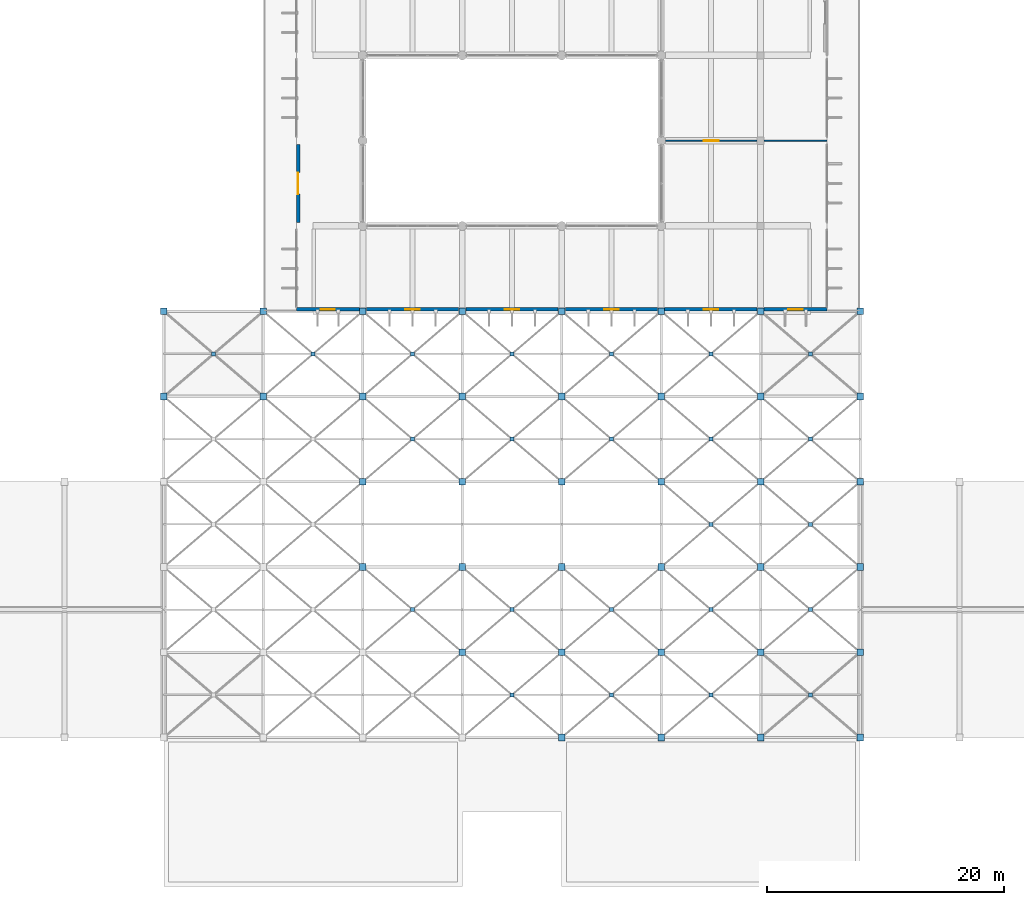
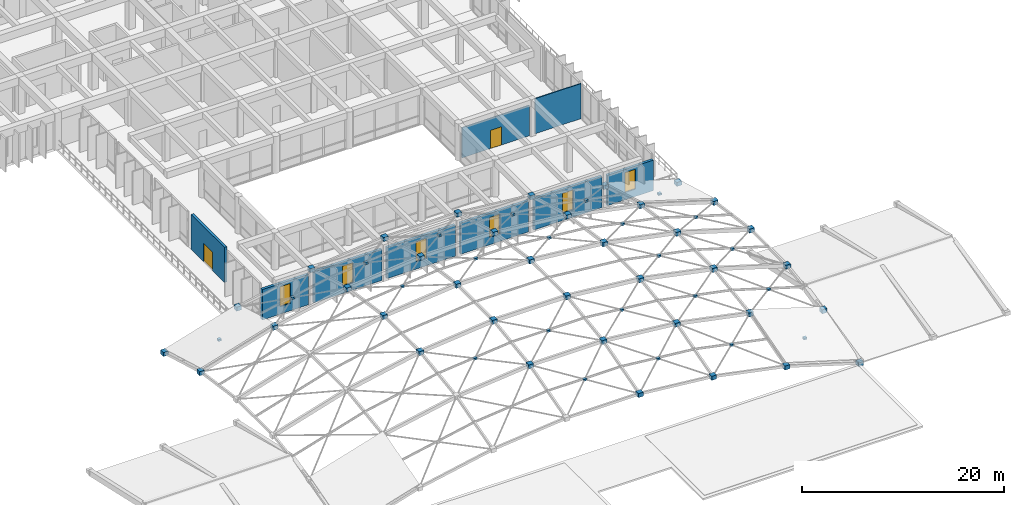
# One storey, part 15 of 23: 60 plates, 9 walls, 6 windows, 2 doors, 8 openings.
"""IFC4 building model written with IfcOpenShell, lengths in metres."""

import ifcopenshell
import ifcopenshell.guid

model = None  # the IFC model being written
_history = None  # IfcOwnerHistory: only IFC2X3 demands one
_inside = {}  # id of a spatial element -> (the spatial element, [elements in it])
_under = {}  # id of a project, library or spatial element -> (it, [spatial elements below it])
_declared = {}  # id of a project -> (the project, [libraries it declares])
_typed = {}  # id of a type object -> (the type object, [elements of that type])
_made_of = {}  # id of a material, layer set ... -> (it, [elements and type objects made of it])


def new_model(schema):
    """Start an empty IFC model of exactly this schema.

    Asked for "IFC4X3", IfcOpenShell would pick the latest addendum, in which some entities
    have other attributes; the version numbers below select the first issue.
    IFC2X3 requires an IfcOwnerHistory on every rooted entity: one is made here for all.
    """
    global model, _history
    if schema == "IFC4X3":
        model = ifcopenshell.file(schema_version=(4, 3, 0, 0))
    else:
        model = ifcopenshell.file(schema=schema)
    _inside.clear()
    _under.clear()
    _declared.clear()
    _typed.clear()
    _made_of.clear()
    _history = None
    if model.schema == "IFC2X3":
        org = make("IfcOrganization", Name="unknown")
        user = make(
            "IfcPersonAndOrganization",
            ThePerson=make("IfcPerson", FamilyName="unknown"),
            TheOrganization=org,
        )
        app = make(
            "IfcApplication",
            ApplicationDeveloper=org,
            Version="unknown",
            ApplicationFullName="unknown",
            ApplicationIdentifier="unknown",
        )
        _history = make(
            "IfcOwnerHistory",
            OwningUser=user,
            OwningApplication=app,
            ChangeAction="ADDED",
            CreationDate=0,
        )
    return model


def make(cls, **values):
    """One entity of the class cls with the attributes given. An attribute that is None is left unset."""
    return model.create_entity(
        cls, **{name: value for name, value in values.items() if value is not None}
    )


def rooted(cls, **values):
    """An entity with a GlobalId (a new one), such as an element, a storey or a relation."""
    return make(cls, GlobalId=ifcopenshell.guid.new(), OwnerHistory=_history, **values)


def si_unit(unit_type, name, prefix=None):
    """IfcSIUnit, for example si_unit("LENGTHUNIT", "METRE", prefix="MILLI")."""
    return make("IfcSIUnit", UnitType=unit_type, Prefix=prefix, Name=name)


def assignment(units):
    """IfcUnitAssignment: the units of a project."""
    return None if units is None else make("IfcUnitAssignment", Units=units)


def point(xyz):
    """IfcCartesianPoint."""
    return None if xyz is None else make("IfcCartesianPoint", Coordinates=xyz)


def direction(xyz):
    """IfcDirection."""
    return None if xyz is None else make("IfcDirection", DirectionRatios=xyz)


def frame(location, z_axis=None, x_axis=None):
    """IfcAxis2Placement3D, a coordinate frame: its origin and axes. An axis left out is left unset."""
    return make(
        "IfcAxis2Placement3D",
        Location=point(location),
        Axis=direction(z_axis),
        RefDirection=direction(x_axis),
    )


def frame_2d(location, x_axis=None):
    """IfcAxis2Placement2D, a coordinate frame in the plane: its origin and x axis."""
    return make(
        "IfcAxis2Placement2D", Location=point(location), RefDirection=direction(x_axis)
    )


def origin():
    """The frame at (0, 0, 0) with its axes left unset."""
    return frame((0.0, 0.0, 0.0))


def origin_2d():
    """The frame at (0, 0) in the plane with its x axis left unset."""
    return frame_2d((0.0, 0.0))


def place(relative_to, where):
    """IfcLocalPlacement: puts the frame where relative to a parent placement (None: the world)."""
    return make(
        "IfcLocalPlacement", PlacementRelTo=relative_to, RelativePlacement=where
    )


def context(
    kind, dimensions, precision=None, world=None, true_north=None, identifier=None
):
    """IfcGeometricRepresentationContext, for example the 3D "Model" context."""
    return make(
        "IfcGeometricRepresentationContext",
        ContextIdentifier=identifier,
        ContextType=kind,
        CoordinateSpaceDimension=dimensions,
        Precision=precision,
        WorldCoordinateSystem=world,
        TrueNorth=true_north,
    )


def subcontext(parent, identifier, kind, view, scale=None):
    """IfcGeometricRepresentationSubContext, for example "Body" below "Model"."""
    return make(
        "IfcGeometricRepresentationSubContext",
        ContextIdentifier=identifier,
        ContextType=kind,
        ParentContext=parent,
        TargetScale=scale,
        TargetView=view,
    )


def project(units=None, contexts=None):
    """IfcProject with its units and contexts."""
    return rooted(
        "IfcProject",
        Name="project",
        RepresentationContexts=contexts,
        UnitsInContext=assignment(units),
    )


def spatial(cls, under=None, at=None, **own):
    """A site, building, storey or space (cls), placed at a placement, below another one or the project."""
    s = rooted(cls, ObjectPlacement=at, **own)
    if under is not None:
        _under.setdefault(under.id(), (under, []))[1].append(s)
    return s


def profile(cls, at=None, kind="AREA", **sizes):
    """A parametric profile (cls). Its sizes go by their IFC names, for example OverallWidth=200.0."""
    return make(cls, ProfileType=kind, Position=at, **sizes)


def rectangle(**sizes):
    """IfcRectangleProfileDef."""
    return profile("IfcRectangleProfileDef", **sizes)


def extrude(swept, where, along, depth):
    """IfcExtrudedAreaSolid: the profile swept, set in the frame where, extruded along a direction by depth."""
    return make(
        "IfcExtrudedAreaSolid",
        SweptArea=swept,
        Position=where,
        ExtrudedDirection=direction(along),
        Depth=depth,
    )


def shape(context_of_items, identifier, shape_type, items):
    """IfcShapeRepresentation: the items that make up one representation, for example the "Body"."""
    return make(
        "IfcShapeRepresentation",
        ContextOfItems=context_of_items,
        RepresentationIdentifier=identifier,
        RepresentationType=shape_type,
        Items=items,
    )


def material(Name=None, Category=None):
    """IfcMaterial."""
    return make("IfcMaterial", Name=Name, Category=Category)


def layer(
    of_material, thickness, ventilated=None, Name=None, Category=None, Priority=None
):
    """IfcMaterialLayer: one layer of a wall or slab, of a material (None: an air gap)."""
    return make(
        "IfcMaterialLayer",
        Material=of_material,
        LayerThickness=thickness,
        IsVentilated=ventilated,
        Name=Name,
        Category=Category,
        Priority=Priority,
    )


def layer_set(layers, Name=None):
    """IfcMaterialLayerSet."""
    return make("IfcMaterialLayerSet", MaterialLayers=layers, LayerSetName=Name)


def made_of(thing, what):
    """Note that an element or type object is made of a material, layer set ...; save() writes the relation."""
    if what is not None:
        _made_of.setdefault(what.id(), (what, []))[1].append(thing)
    return thing


def type_object(cls, material=None, **own):
    """A type object (cls), such as IfcWallType, which elements share."""
    return made_of(rooted(cls, **own), material)


def element(
    cls,
    number,
    at=None,
    inside=None,
    cuts=None,
    type_object=None,
    material=None,
    context=None,
    identifier="Body",
    shape_type=None,
    held_by="IfcProductDefinitionShape",
    body=None,
    shapes=None,
    **own,
):
    """One element of the class cls, such as IfcWall. Its Tag is "e" and its number.

    at: its placement. inside: the storey or other place that contains it. cuts: it is an
    opening in that element (IfcRelVoidsElement). A single representation is given by context,
    identifier, shape_type and body (its items); several are given by shapes. held_by: the class
    of the entity that holds the representations. save() writes the other relations.
    """
    e = rooted(cls, Tag="e%d" % number, ObjectPlacement=at, **own)
    if body is not None:
        shapes = [shape(context, identifier, shape_type, body)]
    if shapes is not None:
        e.Representation = make(held_by, Representations=shapes)
    if inside is not None:
        _inside.setdefault(inside.id(), (inside, []))[1].append(e)
    if cuts is not None:
        rooted(
            "IfcRelVoidsElement", RelatingBuildingElement=cuts, RelatedOpeningElement=e
        )
    if type_object is not None:
        _typed.setdefault(type_object.id(), (type_object, []))[1].append(e)
    return made_of(e, material)


def fill(opening, filler):
    """IfcRelFillsElement: the door or window that sits in an opening."""
    return rooted(
        "IfcRelFillsElement",
        RelatingOpeningElement=opening,
        RelatedBuildingElement=filler,
    )


def aggregate(whole, parts):
    """IfcRelAggregates: a whole, such as a stair, and the parts it consists of."""
    return rooted("IfcRelAggregates", RelatingObject=whole, RelatedObjects=parts)


def save(model, path):
    """Write the relations noted so far, then the file.

    IfcRelAggregates (storeys below a building ...), IfcRelContainedInSpatialStructure (elements
    in a storey), IfcRelDefinesByType, IfcRelAssociatesMaterial and IfcRelDeclares: one each for
    every whole, place, type object, material and project.
    """
    for whole, parts in _under.values():
        aggregate(whole, parts)
    for where, things in _inside.values():
        rooted(
            "IfcRelContainedInSpatialStructure",
            RelatedElements=things,
            RelatingStructure=where,
        )
    for kind, things in _typed.values():
        rooted("IfcRelDefinesByType", RelatedObjects=things, RelatingType=kind)
    for what, things in _made_of.values():
        rooted("IfcRelAssociatesMaterial", RelatedObjects=things, RelatingMaterial=what)
    for by, libraries in _declared.values():
        rooted("IfcRelDeclares", RelatingContext=by, RelatedDefinitions=libraries)
    model.write(path)


model = new_model("IFC4")

# Units and contexts
model_context = context("Model", 3, precision=1e-05, world=origin(), true_north=direction((0.0, 1.0)))
body_context = subcontext(model_context, "Body", "Model", "MODEL_VIEW")
ifc_project = project(units=[si_unit("LENGTHUNIT", "METRE"), si_unit("AREAUNIT", "SQUARE_METRE"), si_unit("VOLUMEUNIT", "CUBIC_METRE"), si_unit("PLANEANGLEUNIT", "RADIAN"), si_unit("MASSUNIT", "GRAM", prefix="KILO")], contexts=[model_context])

# Site, building, storey
site_placement = place(None, origin())
site = spatial("IfcSite", under=ifc_project, at=site_placement, CompositionType="ELEMENT")
building_placement = place(site_placement, origin())
building = spatial("IfcBuilding", under=site, at=building_placement, Name="Kenerak Square Central Library", CompositionType="ELEMENT")
storey_placement = place(building_placement, frame((0.0, 0.0, 18.8798828125)))
storey = spatial("IfcBuildingStorey", under=building, at=storey_placement, Name="L04", CompositionType="ELEMENT", Elevation=18.8798828125)

# Plates
ifc_material_1 = material(Name="Steel S355", Category="steel")
ifc_layer_1 = layer(ifc_material_1, 0.044921875)
ifc_layer_set_1 = layer_set([ifc_layer_1], Name="Steel S355")
plate_type_1 = type_object("IfcPlateType", Name="Gridshell Pin-Shoe Bearing Node GSN-02 45mm S355", PredefinedType="USERDEFINED", material=ifc_layer_set_1)
for number, where, z_axis, x_axis, name in (
    (1, (58.39990234375, 45.60009765625, 1.80810546875), (0.0, 0.0, 1.0), (1.0, 0.0, 0.0), "Gridshell Node GSN-02 1-5"),
    (2, (58.39990234375, 52.800048828125, -0.239990234375), (0.0, 0.0, 1.0), (1.0, 0.0, 0.0), "Gridshell Node GSN-02 1-6"),
    (3, (66.800048828125, 52.800048828125, 2.30712890625), (0.0, 0.0, 1.0), (1.0, 0.0, 0.0), "Gridshell Node GSN-02 2-6"),
    (4, (75.199951171875, 52.800048828125, 4.005126953125), (0.0, 0.0, 1.0), (1.0, 0.0, 0.0), "Gridshell Node GSN-02 3-6"),
    (5, (83.60009765625, 52.800048828125, 4.85400390625), (0.0, 0.0, 1.0), (1.0, 0.0, 0.0), "Gridshell Node GSN-02 4-6"),
    (6, (92.0, 16.800048828125, 4.85400390625), (0.0, 0.0, 1.0), (1.0, 0.0, 0.0), "Gridshell Node GSN-02 5-1"),
    (7, (92.0, 52.800048828125, 4.85400390625), (0.0, 0.0, 1.0), (1.0, 0.0, 0.0), "Gridshell Node GSN-02 5-6"),
    (8, (100.39990234375, 16.800048828125, 4.005126953125), (0.0, 0.0, 1.0), (1.0, 0.0, 0.0), "Gridshell Node GSN-02 6-1"),
    (9, (100.39990234375, 52.800048828125, 4.005126953125), (0.0, 0.0, 1.0), (1.0, 0.0, 0.0), "Gridshell Node GSN-02 6-6"),
    (10, (108.800048828125, 16.800048828125, 2.30712890625), (0.0, 0.0, 1.0), (1.0, 0.0, 0.0), "Gridshell Node GSN-02 7-1"),
    (11, (108.800048828125, 52.800048828125, 2.30712890625), (0.0, 0.0, 1.0), (1.0, 0.0, 0.0), "Gridshell Node GSN-02 7-6"),
    (12, (117.199951171875, 16.800048828125, -0.239990234375), (0.0, 0.0, 1.0), (1.0, 0.0, 0.0), "Gridshell Node GSN-02 8-1"),
    (13, (117.199951171875, 24.0, 1.80810546875), (0.0, 0.0, 1.0), (1.0, 0.0, 0.0), "Gridshell Node GSN-02 8-2"),
    (14, (117.199951171875, 31.199951171875, 2.83203125), (0.0, 0.0, 1.0), (1.0, 0.0, 0.0), "Gridshell Node GSN-02 8-3"),
    (15, (117.199951171875, 38.39990234375, 2.83203125), (0.0, 0.0, 1.0), (1.0, 0.0, 0.0), "Gridshell Node GSN-02 8-4"),
    (16, (117.199951171875, 45.60009765625, 1.80810546875), (0.0, 0.0, 1.0), (1.0, 0.0, 0.0), "Gridshell Node GSN-02 8-5"),
    (17, (117.199951171875, 52.800048828125, -0.239990234375), (0.0, 0.0, 1.0), (1.0, 0.0, 0.0), "Gridshell Node GSN-02 8-6"),
):
    element("IfcPlate", number, at=place(storey_placement, frame(where, z_axis=z_axis, x_axis=x_axis)), inside=storey, type_object=plate_type_1, Name=name, ObjectType="GUSSET PLATE", PredefinedType="USERDEFINED", context=body_context, shape_type="SweptSolid", body=[
        extrude(rectangle(XDim=0.56005859375, YDim=0.56005859375, at=origin_2d()), origin(), (0.0, 0.0, 1.0), 0.47998046875),
    ])
ifc_layer_2 = layer(ifc_material_1, 0.034912109375)
ifc_layer_set_2 = layer_set([ifc_layer_2], Name="Steel S355")
plate_type_2 = type_object("IfcPlateType", Name="Gridshell Star Node Cap GSN-01 35mm S355", PredefinedType="USERDEFINED", material=ifc_layer_set_2)
for number, where, z_axis, x_axis, name in (
    (18, (66.800048828125, 45.60009765625, 4.35498046875), (0.0, 0.0, 1.0), (1.0, 0.0, 0.0), "Gridshell Node GSN-01 2-5"),
    (19, (75.199951171875, 31.199951171875, 7.076904296875), (0.0, 0.0, 1.0), (1.0, 0.0, 0.0), "Gridshell Node GSN-01 3-3"),
    (20, (75.199951171875, 38.39990234375, 7.076904296875), (0.0, 0.0, 1.0), (1.0, 0.0, 0.0), "Gridshell Node GSN-01 3-4"),
    (21, (75.199951171875, 45.60009765625, 6.052978515625), (0.0, 0.0, 1.0), (1.0, 0.0, 0.0), "Gridshell Node GSN-01 3-5"),
    (22, (83.60009765625, 24.0, 6.902099609375), (0.0, 0.0, 1.0), (1.0, 0.0, 0.0), "Gridshell Node GSN-01 4-2"),
    (23, (83.60009765625, 31.199951171875, 7.926025390625), (0.0, 0.0, 1.0), (1.0, 0.0, 0.0), "Gridshell Node GSN-01 4-3"),
    (24, (83.60009765625, 38.39990234375, 7.926025390625), (0.0, 0.0, 1.0), (1.0, 0.0, 0.0), "Gridshell Node GSN-01 4-4"),
    (25, (83.60009765625, 45.60009765625, 6.902099609375), (0.0, 0.0, 1.0), (1.0, 0.0, 0.0), "Gridshell Node GSN-01 4-5"),
    (26, (92.0, 24.0, 6.902099609375), (0.0, 0.0, 1.0), (1.0, 0.0, 0.0), "Gridshell Node GSN-01 5-2"),
    (27, (92.0, 31.199951171875, 7.926025390625), (0.0, 0.0, 1.0), (1.0, 0.0, 0.0), "Gridshell Node GSN-01 5-3"),
    (28, (92.0, 38.39990234375, 7.926025390625), (0.0, 0.0, 1.0), (1.0, 0.0, 0.0), "Gridshell Node GSN-01 5-4"),
    (29, (92.0, 45.60009765625, 6.902099609375), (0.0, 0.0, 1.0), (1.0, 0.0, 0.0), "Gridshell Node GSN-01 5-5"),
    (30, (100.39990234375, 24.0, 6.052978515625), (0.0, 0.0, 1.0), (1.0, 0.0, 0.0), "Gridshell Node GSN-01 6-2"),
    (31, (100.39990234375, 31.199951171875, 7.076904296875), (0.0, 0.0, 1.0), (1.0, 0.0, 0.0), "Gridshell Node GSN-01 6-3"),
    (32, (100.39990234375, 38.39990234375, 7.076904296875), (0.0, 0.0, 1.0), (1.0, 0.0, 0.0), "Gridshell Node GSN-01 6-4"),
    (33, (100.39990234375, 45.60009765625, 6.052978515625), (0.0, 0.0, 1.0), (1.0, 0.0, 0.0), "Gridshell Node GSN-01 6-5"),
    (34, (108.800048828125, 24.0, 4.35498046875), (0.0, 0.0, 1.0), (1.0, 0.0, 0.0), "Gridshell Node GSN-01 7-2"),
    (35, (108.800048828125, 31.199951171875, 5.379150390625), (0.0, 0.0, 1.0), (1.0, 0.0, 0.0), "Gridshell Node GSN-01 7-3"),
    (36, (108.800048828125, 38.39990234375, 5.379150390625), (0.0, 0.0, 1.0), (1.0, 0.0, 0.0), "Gridshell Node GSN-01 7-4"),
    (37, (108.800048828125, 45.60009765625, 4.35498046875), (0.0, 0.0, 1.0), (1.0, 0.0, 0.0), "Gridshell Node GSN-01 7-5"),
):
    element("IfcPlate", number, at=place(storey_placement, frame(where, z_axis=z_axis, x_axis=x_axis)), inside=storey, type_object=plate_type_2, Name=name, ObjectType="GUSSET PLATE", PredefinedType="USERDEFINED", context=body_context, shape_type="SweptSolid", body=[
        extrude(rectangle(XDim=0.56005859375, YDim=0.56005859375, at=origin_2d()), origin(), (0.0, 0.0, 1.0), 0.47998046875),
    ])
ifc_layer_3 = layer(ifc_material_1, 0.02490234375)
ifc_layer_set_3 = layer_set([ifc_layer_3], Name="Steel S355")
plate_type_3 = type_object("IfcPlateType", Name="X-Brace Crossing Gusset Node GSX-01 25mm S355", PredefinedType="USERDEFINED", material=ifc_layer_set_3)
for number, where, z_axis, x_axis, name in (
    (38, (62.60009765625, 49.199951171875, 2.1875), (0.0, 0.0, 1.0), (1.0, 0.0, 0.0), "Gridshell X-Brace Crossing Plate GSX-01 0145"),
    (39, (71.0, 49.199951171875, 4.31005859375), (0.0, 0.0, 1.0), (1.0, 0.0, 0.0), "Gridshell X-Brace Crossing Plate GSX-01 0150"),
    (40, (79.39990234375, 27.60009765625, 7.11962890625), (0.0, 0.0, 1.0), (1.0, 0.0, 0.0), "Gridshell X-Brace Crossing Plate GSX-01 0152"),
    (41, (79.39990234375, 42.0, 7.11962890625), (0.0, 0.0, 1.0), (1.0, 0.0, 0.0), "Gridshell X-Brace Crossing Plate GSX-01 0153"),
    (42, (79.39990234375, 49.199951171875, 5.58349609375), (0.0, 0.0, 1.0), (1.0, 0.0, 0.0), "Gridshell X-Brace Crossing Plate GSX-01 0154"),
    (43, (87.800048828125, 20.39990234375, 6.0078125), (0.0, 0.0, 1.0), (1.0, 0.0, 0.0), "Gridshell X-Brace Crossing Plate GSX-01 0155"),
    (44, (87.800048828125, 27.60009765625, 7.5439453125), (0.0, 0.0, 1.0), (1.0, 0.0, 0.0), "Gridshell X-Brace Crossing Plate GSX-01 0156"),
    (45, (87.800048828125, 42.0, 7.5439453125), (0.0, 0.0, 1.0), (1.0, 0.0, 0.0), "Gridshell X-Brace Crossing Plate GSX-01 0157"),
    (46, (87.800048828125, 49.199951171875, 6.0078125), (0.0, 0.0, 1.0), (1.0, 0.0, 0.0), "Gridshell X-Brace Crossing Plate GSX-01 0158"),
    (47, (96.199951171875, 20.39990234375, 5.58349609375), (0.0, 0.0, 1.0), (1.0, 0.0, 0.0), "Gridshell X-Brace Crossing Plate GSX-01 0159"),
    (48, (96.199951171875, 27.60009765625, 7.11962890625), (0.0, 0.0, 1.0), (1.0, 0.0, 0.0), "Gridshell X-Brace Crossing Plate GSX-01 0160"),
    (49, (96.199951171875, 42.0, 7.11962890625), (0.0, 0.0, 1.0), (1.0, 0.0, 0.0), "Gridshell X-Brace Crossing Plate GSX-01 0161"),
    (50, (96.199951171875, 49.199951171875, 5.58349609375), (0.0, 0.0, 1.0), (1.0, 0.0, 0.0), "Gridshell X-Brace Crossing Plate GSX-01 0162"),
    (51, (104.60009765625, 20.39990234375, 4.31005859375), (0.0, 0.0, 1.0), (1.0, 0.0, 0.0), "Gridshell X-Brace Crossing Plate GSX-01 0163"),
    (52, (104.60009765625, 27.60009765625, 5.84619140625), (0.0, 0.0, 1.0), (1.0, 0.0, 0.0), "Gridshell X-Brace Crossing Plate GSX-01 0164"),
    (53, (104.60009765625, 34.800048828125, 6.35791015625), (0.0, 0.0, 1.0), (1.0, 0.0, 0.0), "Gridshell X-Brace Crossing Plate GSX-01 0165"),
    (54, (104.60009765625, 42.0, 5.84619140625), (0.0, 0.0, 1.0), (1.0, 0.0, 0.0), "Gridshell X-Brace Crossing Plate GSX-01 0166"),
    (55, (104.60009765625, 49.199951171875, 4.31005859375), (0.0, 0.0, 1.0), (1.0, 0.0, 0.0), "Gridshell X-Brace Crossing Plate GSX-01 0167"),
    (56, (113.0, 20.39990234375, 2.1875), (0.0, 0.0, 1.0), (1.0, 0.0, 0.0), "Gridshell X-Brace Crossing Plate GSX-01 0168"),
    (57, (113.0, 27.60009765625, 3.7236328125), (0.0, 0.0, 1.0), (1.0, 0.0, 0.0), "Gridshell X-Brace Crossing Plate GSX-01 0169"),
    (58, (113.0, 34.800048828125, 4.23583984375), (0.0, 0.0, 1.0), (1.0, 0.0, 0.0), "Gridshell X-Brace Crossing Plate GSX-01 0170"),
    (59, (113.0, 42.0, 3.7236328125), (0.0, 0.0, 1.0), (1.0, 0.0, 0.0), "Gridshell X-Brace Crossing Plate GSX-01 0171"),
    (60, (113.0, 49.199951171875, 2.1875), (0.0, 0.0, 1.0), (1.0, 0.0, 0.0), "Gridshell X-Brace Crossing Plate GSX-01 0172"),
):
    element("IfcPlate", number, at=place(storey_placement, frame(where, z_axis=z_axis, x_axis=x_axis)), inside=storey, type_object=plate_type_3, Name=name, ObjectType="GUSSET PLATE", PredefinedType="USERDEFINED", context=body_context, shape_type="SweptSolid", body=[
        extrude(rectangle(XDim=0.340087890625, YDim=0.340087890625, at=origin_2d()), origin(), (0.0, 0.0, 1.0), 0.219970703125),
    ])

# Wall, opening, window
ifc_material_2 = material(Name="Concrete C40/50", Category="concrete")
ifc_layer_4 = layer(ifc_material_2, 0.300048828125)
ifc_layer_set_4 = layer_set([ifc_layer_4], Name="Concrete C40/50")
wall_type_1 = type_object("IfcWallType", Name="Board-Marked Brutalist Facade Wall EW-300 C40/50", PredefinedType="SOLIDWALL", material=ifc_layer_set_4)
wall_1_placement = place(storey_placement, frame((114.39990234375, 52.949951171875, 0.0), z_axis=(0.0, 0.0, 1.0), x_axis=(-1.0, 0.0, 0.0)))
wall_1 = element("IfcWall", 61, at=wall_1_placement, inside=storey, type_object=wall_type_1, Name="Exterior Facade Wall L04 0218", PredefinedType="SOLIDWALL", context=body_context, shape_type="SweptSolid", body=[
    extrude(rectangle(XDim=5.2998046875, YDim=0.300048828125, at=frame_2d((2.64990234375, 0.0))), origin(), (0.0, 0.0, 1.0), 3.68017578125),
])
opening_1_placement = place(wall_1_placement, frame((2.050048828125, 0.0, 0.89990234375)))
opening_1 = element("IfcOpeningElement", 62, at=opening_1_placement, cuts=wall_1, Name="Opening W-05", PredefinedType="OPENING", context=body_context, shape_type="SweptSolid", body=[
    extrude(rectangle(XDim=1.199951171875, YDim=2.39990234375, at=frame_2d((0.60009765625, 1.199951171875))), frame((0.0, 0.159912109375, 0.0), z_axis=(0.0, -1.0, 0.0), x_axis=(1.0, 0.0, 0.0)), (0.0, 0.0, 1.0), 0.320068359375),
])
ifc_material_3 = material(Name="Solar-control low-E laminated double glazing", Category="glass")
window_type = type_object("IfcWindowType", Name="Reading Bay Tall Window W-05 1200x2400", PartitioningType="SINGLE_PANEL", PredefinedType="WINDOW", material=ifc_material_3)
window_1_placement = place(opening_1_placement, origin())
window_1 = element("IfcWindow", 63, at=window_1_placement, inside=storey, type_object=window_type, Name="Window W-05 L04 0238", OverallHeight=2.39990234375, OverallWidth=1.199951171875, PartitioningType="SINGLE_PANEL", PredefinedType="WINDOW", context=body_context, shape_type="SweptSolid", body=[
    extrude(rectangle(XDim=1.199951171875, YDim=2.39990234375, at=frame_2d((0.60009765625, 1.199951171875))), frame((0.0, 0.030029296875, 0.0), z_axis=(0.0, -1.0, 0.0), x_axis=(1.0, 0.0, 0.0)), (0.0, 0.0, 1.0), 0.06005859375),
])
fill(opening_1, window_1)

wall_2_placement = place(storey_placement, frame((108.5, 52.949951171875, 0.0), z_axis=(0.0, 0.0, 1.0), x_axis=(-1.0, 0.0, 0.0)))
wall_2 = element("IfcWall", 64, at=wall_2_placement, inside=storey, type_object=wall_type_1, Name="Exterior Facade Wall L04 0219", PredefinedType="SOLIDWALL", context=body_context, shape_type="SweptSolid", body=[
    extrude(rectangle(XDim=7.800048828125, YDim=0.300048828125, at=frame_2d((3.89990234375, 0.0))), origin(), (0.0, 0.0, 1.0), 3.780029296875),
])
opening_2_placement = place(wall_2_placement, frame((3.300048828125, 0.0, 0.89990234375)))
opening_2 = element("IfcOpeningElement", 65, at=opening_2_placement, cuts=wall_2, Name="Opening W-05", PredefinedType="OPENING", context=body_context, shape_type="SweptSolid", body=[
    extrude(rectangle(XDim=1.199951171875, YDim=2.39990234375, at=frame_2d((0.60009765625, 1.199951171875))), frame((0.0, 0.159912109375, 0.0), z_axis=(0.0, -1.0, 0.0), x_axis=(1.0, 0.0, 0.0)), (0.0, 0.0, 1.0), 0.320068359375),
])
window_2_placement = place(opening_2_placement, origin())
window_2 = element("IfcWindow", 66, at=window_2_placement, inside=storey, type_object=window_type, Name="Window W-05 L04 0239", OverallHeight=2.39990234375, OverallWidth=1.199951171875, PartitioningType="SINGLE_PANEL", PredefinedType="WINDOW", context=body_context, shape_type="SweptSolid", body=[
    extrude(rectangle(XDim=1.199951171875, YDim=2.39990234375, at=frame_2d((0.60009765625, 1.199951171875))), frame((0.0, 0.030029296875, 0.0), z_axis=(0.0, -1.0, 0.0), x_axis=(1.0, 0.0, 0.0)), (0.0, 0.0, 1.0), 0.06005859375),
])
fill(opening_2, window_2)

wall_3_placement = place(storey_placement, frame((100.10009765625, 52.949951171875, 0.0), z_axis=(0.0, 0.0, 1.0), x_axis=(-1.0, 0.0, 0.0)))
wall_3 = element("IfcWall", 67, at=wall_3_placement, inside=storey, type_object=wall_type_1, Name="Exterior Facade Wall L04 0220", PredefinedType="SOLIDWALL", context=body_context, shape_type="SweptSolid", body=[
    extrude(rectangle(XDim=7.800048828125, YDim=0.300048828125, at=frame_2d((3.89990234375, 0.0))), origin(), (0.0, 0.0, 1.0), 3.780029296875),
])
opening_3_placement = place(wall_3_placement, frame((3.300048828125, 0.0, 0.89990234375)))
opening_3 = element("IfcOpeningElement", 68, at=opening_3_placement, cuts=wall_3, Name="Opening W-05", PredefinedType="OPENING", context=body_context, shape_type="SweptSolid", body=[
    extrude(rectangle(XDim=1.199951171875, YDim=2.39990234375, at=frame_2d((0.60009765625, 1.199951171875))), frame((0.0, 0.159912109375, 0.0), z_axis=(0.0, -1.0, 0.0), x_axis=(1.0, 0.0, 0.0)), (0.0, 0.0, 1.0), 0.320068359375),
])
window_3_placement = place(opening_3_placement, origin())
window_3 = element("IfcWindow", 69, at=window_3_placement, inside=storey, type_object=window_type, Name="Window W-05 L04 0240", OverallHeight=2.39990234375, OverallWidth=1.199951171875, PartitioningType="SINGLE_PANEL", PredefinedType="WINDOW", context=body_context, shape_type="SweptSolid", body=[
    extrude(rectangle(XDim=1.199951171875, YDim=2.39990234375, at=frame_2d((0.60009765625, 1.199951171875))), frame((0.0, 0.030029296875, 0.0), z_axis=(0.0, -1.0, 0.0), x_axis=(1.0, 0.0, 0.0)), (0.0, 0.0, 1.0), 0.06005859375),
])
fill(opening_3, window_3)

wall_4_placement = place(storey_placement, frame((91.699951171875, 52.949951171875, 0.0), z_axis=(0.0, 0.0, 1.0), x_axis=(-1.0, 0.0, 0.0)))
wall_4 = element("IfcWall", 70, at=wall_4_placement, inside=storey, type_object=wall_type_1, Name="Exterior Facade Wall L04 0221", PredefinedType="SOLIDWALL", context=body_context, shape_type="SweptSolid", body=[
    extrude(rectangle(XDim=7.800048828125, YDim=0.300048828125, at=frame_2d((3.89990234375, 0.0))), origin(), (0.0, 0.0, 1.0), 3.780029296875),
])
opening_4_placement = place(wall_4_placement, frame((3.300048828125, 0.0, 0.89990234375)))
opening_4 = element("IfcOpeningElement", 71, at=opening_4_placement, cuts=wall_4, Name="Opening W-05", PredefinedType="OPENING", context=body_context, shape_type="SweptSolid", body=[
    extrude(rectangle(XDim=1.199951171875, YDim=2.39990234375, at=frame_2d((0.60009765625, 1.199951171875))), frame((0.0, 0.159912109375, 0.0), z_axis=(0.0, -1.0, 0.0), x_axis=(1.0, 0.0, 0.0)), (0.0, 0.0, 1.0), 0.320068359375),
])
window_4_placement = place(opening_4_placement, origin())
window_4 = element("IfcWindow", 72, at=window_4_placement, inside=storey, type_object=window_type, Name="Window W-05 L04 0241", OverallHeight=2.39990234375, OverallWidth=1.199951171875, PartitioningType="SINGLE_PANEL", PredefinedType="WINDOW", context=body_context, shape_type="SweptSolid", body=[
    extrude(rectangle(XDim=1.199951171875, YDim=2.39990234375, at=frame_2d((0.60009765625, 1.199951171875))), frame((0.0, 0.030029296875, 0.0), z_axis=(0.0, -1.0, 0.0), x_axis=(1.0, 0.0, 0.0)), (0.0, 0.0, 1.0), 0.06005859375),
])
fill(opening_4, window_4)

wall_5_placement = place(storey_placement, frame((83.300048828125, 52.949951171875, 0.0), z_axis=(0.0, 0.0, 1.0), x_axis=(-1.0, 0.0, 0.0)))
wall_5 = element("IfcWall", 73, at=wall_5_placement, inside=storey, type_object=wall_type_1, Name="Exterior Facade Wall L04 0222", PredefinedType="SOLIDWALL", context=body_context, shape_type="SweptSolid", body=[
    extrude(rectangle(XDim=7.800048828125, YDim=0.300048828125, at=frame_2d((3.89990234375, 0.0))), origin(), (0.0, 0.0, 1.0), 3.780029296875),
])
opening_5_placement = place(wall_5_placement, frame((3.300048828125, 0.0, 0.89990234375)))
opening_5 = element("IfcOpeningElement", 74, at=opening_5_placement, cuts=wall_5, Name="Opening W-05", PredefinedType="OPENING", context=body_context, shape_type="SweptSolid", body=[
    extrude(rectangle(XDim=1.199951171875, YDim=2.39990234375, at=frame_2d((0.60009765625, 1.199951171875))), frame((0.0, 0.159912109375, 0.0), z_axis=(0.0, -1.0, 0.0), x_axis=(1.0, 0.0, 0.0)), (0.0, 0.0, 1.0), 0.320068359375),
])
window_5_placement = place(opening_5_placement, origin())
window_5 = element("IfcWindow", 75, at=window_5_placement, inside=storey, type_object=window_type, Name="Window W-05 L04 0242", OverallHeight=2.39990234375, OverallWidth=1.199951171875, PartitioningType="SINGLE_PANEL", PredefinedType="WINDOW", context=body_context, shape_type="SweptSolid", body=[
    extrude(rectangle(XDim=1.199951171875, YDim=2.39990234375, at=frame_2d((0.60009765625, 1.199951171875))), frame((0.0, 0.030029296875, 0.0), z_axis=(0.0, -1.0, 0.0), x_axis=(1.0, 0.0, 0.0)), (0.0, 0.0, 1.0), 0.06005859375),
])
fill(opening_5, window_5)

wall_6_placement = place(storey_placement, frame((74.89990234375, 52.949951171875, 0.0), z_axis=(0.0, 0.0, 1.0), x_axis=(-1.0, 0.0, 0.0)))
wall_6 = element("IfcWall", 76, at=wall_6_placement, inside=storey, type_object=wall_type_1, Name="Exterior Facade Wall L04 0223", PredefinedType="SOLIDWALL", context=body_context, shape_type="SweptSolid", body=[
    extrude(rectangle(XDim=5.2998046875, YDim=0.300048828125, at=frame_2d((2.64990234375, 0.0))), origin(), (0.0, 0.0, 1.0), 3.68017578125),
])
opening_6_placement = place(wall_6_placement, frame((2.050048828125, 0.0, 0.89990234375)))
opening_6 = element("IfcOpeningElement", 77, at=opening_6_placement, cuts=wall_6, Name="Opening W-05", PredefinedType="OPENING", context=body_context, shape_type="SweptSolid", body=[
    extrude(rectangle(XDim=1.199951171875, YDim=2.39990234375, at=frame_2d((0.60009765625, 1.199951171875))), frame((0.0, 0.159912109375, 0.0), z_axis=(0.0, -1.0, 0.0), x_axis=(1.0, 0.0, 0.0)), (0.0, 0.0, 1.0), 0.320068359375),
])
window_6_placement = place(opening_6_placement, origin())
window_6 = element("IfcWindow", 78, at=window_6_placement, inside=storey, type_object=window_type, Name="Window W-05 L04 0243", OverallHeight=2.39990234375, OverallWidth=1.199951171875, PartitioningType="SINGLE_PANEL", PredefinedType="WINDOW", context=body_context, shape_type="SweptSolid", body=[
    extrude(rectangle(XDim=1.199951171875, YDim=2.39990234375, at=frame_2d((0.60009765625, 1.199951171875))), frame((0.0, 0.030029296875, 0.0), z_axis=(0.0, -1.0, 0.0), x_axis=(1.0, 0.0, 0.0)), (0.0, 0.0, 1.0), 0.06005859375),
])
fill(opening_6, window_6)

# Wall
ifc_material_4 = material(Name="Laminated acoustic glass in aluminium frame", Category="aluminium")
ifc_layer_5 = layer(ifc_material_4, 0.10009765625)
ifc_layer_set_5 = layer_set([ifc_layer_5], Name="Laminated acoustic glass in aluminium frame")
wall_type_2 = type_object("IfcWallType", Name="Glazed Study Carrel Screen IW-100", PredefinedType="MOVABLE", material=ifc_layer_set_5)
wall_7_placement = place(storey_placement, frame((114.39990234375, 67.199951171875, 0.0), z_axis=(0.0, 0.0, 1.0), x_axis=(-1.0, 0.0, 0.0)))
element("IfcWall", 79, at=wall_7_placement, inside=storey, type_object=wall_type_2, Name="Interior Wall IW-L04-04-S1-B1", PredefinedType="MOVABLE", context=body_context, shape_type="SweptSolid", body=[
    extrude(rectangle(XDim=5.2998046875, YDim=0.10009765625, at=frame_2d((2.64990234375, 0.0))), origin(), (0.0, 0.0, 1.0), 4.255126953125),
])

# Wall, opening, door
wall_8_placement = place(storey_placement, frame((108.5, 67.199951171875, 0.0), z_axis=(0.0, 0.0, 1.0), x_axis=(-1.0, 0.0, 0.0)))
wall_8 = element("IfcWall", 80, at=wall_8_placement, inside=storey, type_object=wall_type_2, Name="Interior Wall IW-L04-04-S1-B2", PredefinedType="MOVABLE", context=body_context, shape_type="SweptSolid", body=[
    extrude(rectangle(XDim=7.72509765625, YDim=0.10009765625, at=frame_2d((3.862548828125, 0.0))), origin(), (0.0, 0.0, 1.0), 3.68017578125),
])
opening_7_placement = place(wall_8_placement, frame((3.237548828125, 0.0, 0.0)))
opening_7 = element("IfcOpeningElement", 81, at=opening_7_placement, cuts=wall_8, Name="Opening ID-06", PredefinedType="OPENING", context=body_context, shape_type="SweptSolid", body=[
    extrude(rectangle(XDim=1.25, YDim=2.199951171875, at=frame_2d((0.625, 1.10009765625))), frame((0.0, 0.06005859375, 0.0), z_axis=(0.0, -1.0, 0.0), x_axis=(1.0, 0.0, 0.0)), (0.0, 0.0, 1.0), 0.1201171875),
])
ifc_material_5 = material(Name="Chengal hardwood timber SG1", Category="wood")
door_type_1 = type_object("IfcDoorType", Name="Studio Sliding Acoustic Door ID-1250x2200", OperationType="NOTDEFINED", PredefinedType="DOOR", material=ifc_material_5)
door_1_placement = place(opening_7_placement, origin())
door_1 = element("IfcDoor", 82, at=door_1_placement, inside=storey, type_object=door_type_1, Name="East Digital Media and Cartography Commons Door", OperationType="SLIDING_TO_LEFT", OverallHeight=2.199951171875, OverallWidth=1.25, PredefinedType="DOOR", context=body_context, shape_type="SweptSolid", body=[
    extrude(rectangle(XDim=1.25, YDim=2.199951171875, at=frame_2d((0.625, 1.10009765625))), frame((0.0, 0.02490234375, 0.0), z_axis=(0.0, -1.0, 0.0), x_axis=(1.0, 0.0, 0.0)), (0.0, 0.0, 1.0), 0.050048828125),
])
fill(opening_7, door_1)

ifc_material_6 = material(Name="Precast concrete C40/50", Category="concrete")
ifc_layer_6 = layer(ifc_material_6, 0.27490234375)
ifc_layer_set_6 = layer_set([ifc_layer_6], Name="Precast concrete C40/50")
wall_type_3 = type_object("IfcWallType", Name="Insulated Precast Spandrel Wall SPW-275 C40/50", PredefinedType="SOLIDWALL", material=ifc_layer_set_6)
wall_9_placement = place(storey_placement, frame((69.737548828125, 60.300048828125, 0.0), z_axis=(0.0, 0.0, 1.0), x_axis=(0.0, 1.0, 0.0)))
wall_9 = element("IfcWall", 83, at=wall_9_placement, inside=storey, type_object=wall_type_3, Name="Exterior Facade Wall L04 0224", PredefinedType="SOLIDWALL", context=body_context, shape_type="SweptSolid", body=[
    extrude(rectangle(XDim=6.599853515625, YDim=0.27490234375, at=frame_2d((3.2998046875, 0.0))), origin(), (0.0, 0.0, 1.0), 4.255126953125),
])
opening_8_placement = place(wall_9_placement, frame((2.39990234375, 0.0, 0.0)))
opening_8 = element("IfcOpeningElement", 84, at=opening_8_placement, cuts=wall_9, Name="Opening TD-01", PredefinedType="OPENING", context=body_context, shape_type="SweptSolid", body=[
    extrude(rectangle(XDim=1.800048828125, YDim=2.25, at=frame_2d((0.89990234375, 1.125))), frame((0.0, 0.1474609375, 0.0), z_axis=(0.0, -1.0, 0.0), x_axis=(1.0, 0.0, 0.0)), (0.0, 0.0, 1.0), 0.294921875),
])
ifc_material_7 = material(Name="Anodised aluminium and laminated glass", Category="aluminium")
door_type_2 = type_object("IfcDoorType", Name="Planted Reading Terrace Double Door TD-1800x2250", OperationType="NOTDEFINED", PredefinedType="DOOR", material=ifc_material_7)
door_2_placement = place(opening_8_placement, origin())
door_2 = element("IfcDoor", 85, at=door_2_placement, inside=storey, type_object=door_type_2, Name="West Court Reading Terrace L04 Access Door", OperationType="DOUBLE_DOOR_SINGLE_SWING", OverallHeight=2.25, OverallWidth=1.800048828125, PredefinedType="DOOR", context=body_context, shape_type="SweptSolid", body=[
    extrude(rectangle(XDim=1.800048828125, YDim=2.25, at=frame_2d((0.89990234375, 1.125))), frame((0.0, 0.02490234375, 0.0), z_axis=(0.0, -1.0, 0.0), x_axis=(1.0, 0.0, 0.0)), (0.0, 0.0, 1.0), 0.050048828125),
])
fill(opening_8, door_2)

save(model, "model.ifc")
